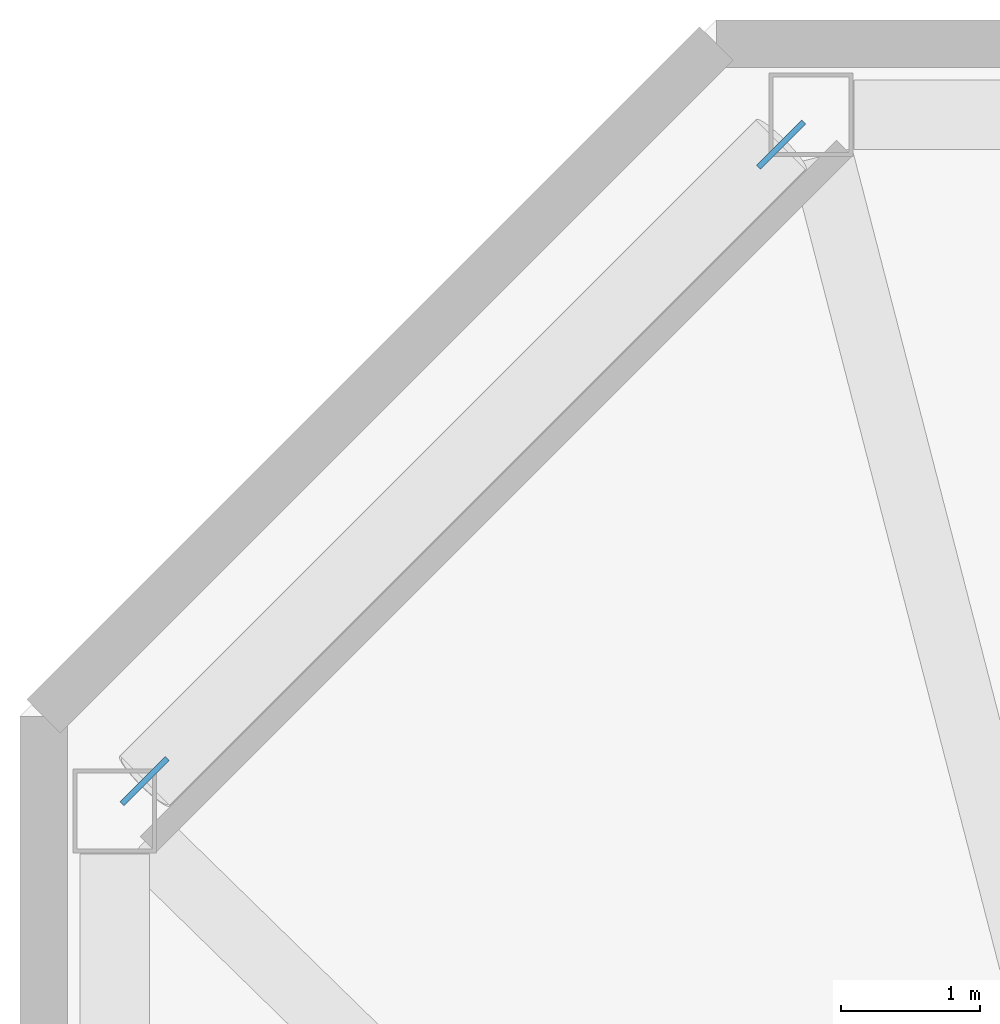
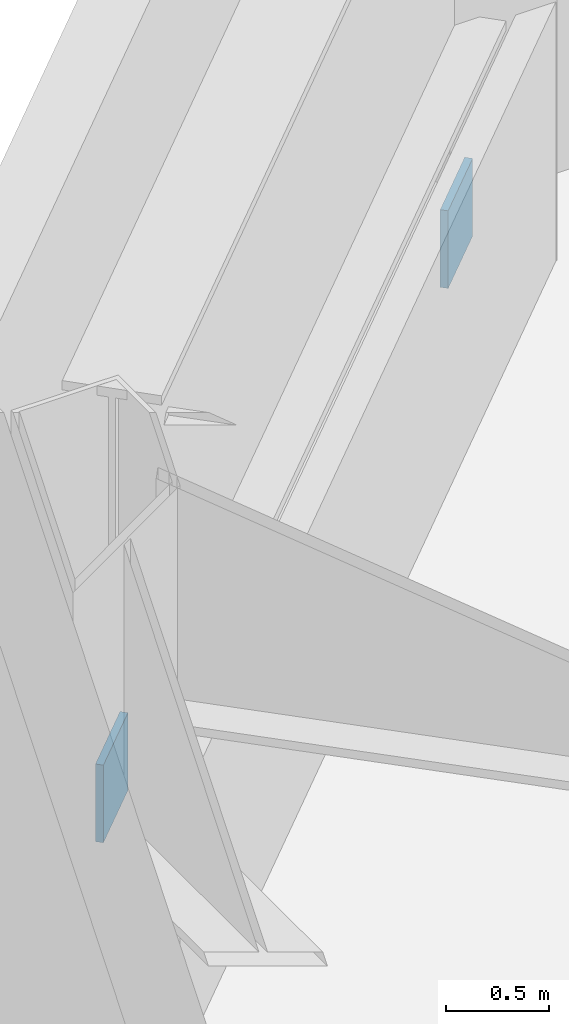
# One storey, part 15 of 18: 2 discrete accessories.
"""IFC4 building model written with IfcOpenShell, lengths in metres."""

from ifc_helpers import new_model, si_unit, direction, frame, origin, origin_2d, place, context, subcontext, project, spatial, rectangle, extrude, material, type_object, element, save


model = new_model("IFC4")

# Units and contexts
model_context = context("Model", 3, precision=1e-05, world=origin(), true_north=direction((0.0, 1.0)))
body_context = subcontext(model_context, "Body", "Model", "MODEL_VIEW")
ifc_project = project(units=[si_unit("LENGTHUNIT", "METRE"), si_unit("AREAUNIT", "SQUARE_METRE"), si_unit("VOLUMEUNIT", "CUBIC_METRE"), si_unit("PLANEANGLEUNIT", "RADIAN"), si_unit("MASSUNIT", "GRAM", prefix="KILO")], contexts=[model_context])

# Site, building, storey
site_placement = place(None, origin())
site = spatial("IfcSite", under=ifc_project, at=site_placement, CompositionType="ELEMENT")
building_placement = place(site_placement, origin())
building = spatial("IfcBuilding", under=site, at=building_placement, Name="Tavrogorsk Clinical Tower", CompositionType="ELEMENT")
storey_placement = place(building_placement, frame((0.0, 0.0, 152.199951171875)))
storey = spatial("IfcBuildingStorey", under=building, at=storey_placement, Name="L34", CompositionType="ELEMENT", Elevation=152.199951171875)

# Discrete accessories
ifc_material = material(Name="Structural steel S440", Category="steel")
discrete_accessory_type = type_object("IfcDiscreteAccessoryType", Name="GussetPlateBracket_25", PredefinedType="BRACKET", material=ifc_material)
for number, where, z_axis, x_axis, name in (
    (1, (-28.134765625, 26.205322265625, 0.12109375), (0.0, 0.0, 1.0), (-0.707106781187, -0.707106781187, 0.0), "L34 Brace Gusset Plate EXOCRN-L34-3-A"),
    (2, (-32.705322265625, 21.634765625, 1.208984375), (0.0, 0.0, 1.0), (-0.707106781187, -0.707106781187, 0.0), "L34 Brace Gusset Plate EXOCRN-L34-3-B"),
):
    element("IfcDiscreteAccessory", number, at=place(storey_placement, frame(where, z_axis=z_axis, x_axis=x_axis)), inside=storey, type_object=discrete_accessory_type, Name=name, PredefinedType="BRACKET", context=body_context, shape_type="SweptSolid", body=[
        extrude(rectangle(XDim=0.4599609375, YDim=0.0400390625, at=origin_2d()), origin(), (0.0, 0.0, 1.0), 0.4599609375),
    ])

save(model, "model.ifc")
